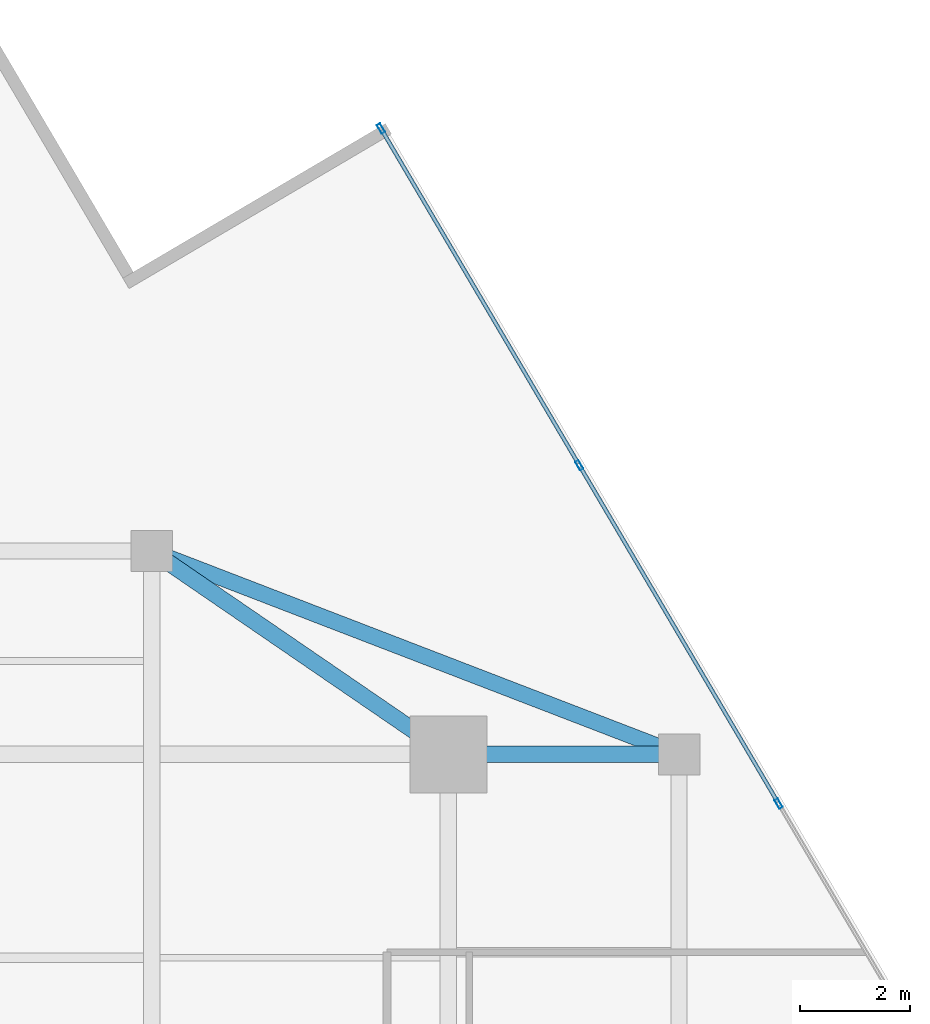
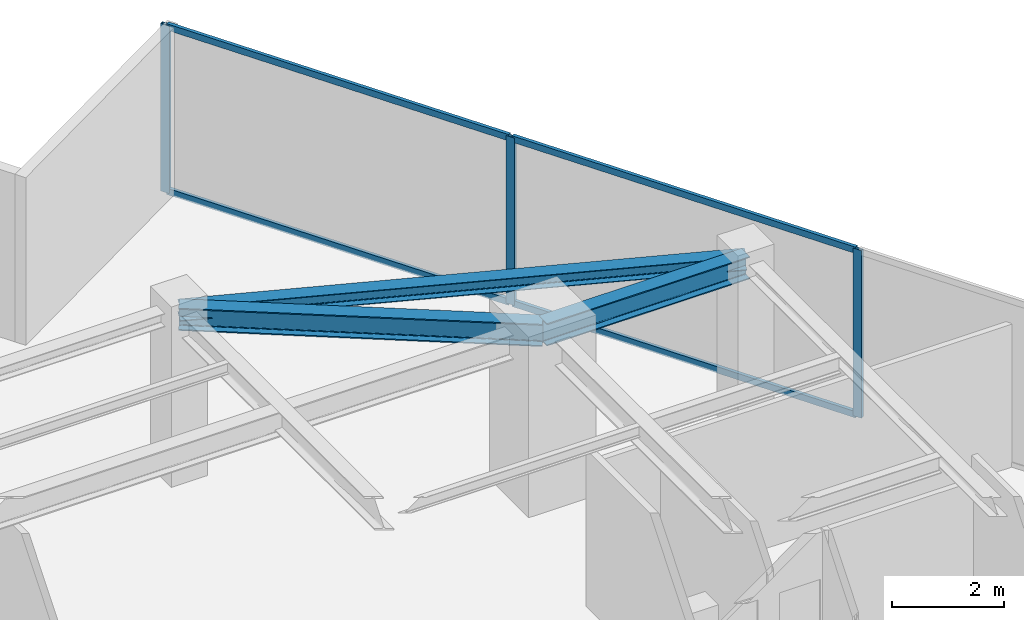
# One storey, part 15 of 20: 7 members, 3 beams, 1 element without a shape of its own.
"""IFC4 building model written with IfcOpenShell, lengths in metres."""

from ifc_helpers import new_model, si_unit, direction, frame, origin, origin_2d, place, context, subcontext, project, spatial, hollow_rectangle, i_section, extrude, source, transform, mapped, material, material_profile, profile_set, type_object, type_shapes, element, aggregate, save


model = new_model("IFC4")

# Units and contexts
model_context = context("Model", 3, precision=1e-05, world=origin(), true_north=direction((0.0, 1.0)))
body_context = subcontext(model_context, "Body", "Model", "MODEL_VIEW")
ifc_project = project(units=[si_unit("LENGTHUNIT", "METRE"), si_unit("AREAUNIT", "SQUARE_METRE"), si_unit("VOLUMEUNIT", "CUBIC_METRE"), si_unit("PLANEANGLEUNIT", "RADIAN"), si_unit("MASSUNIT", "GRAM", prefix="KILO")], contexts=[model_context])

# Site, building, storey
site_placement = place(None, origin())
site = spatial("IfcSite", under=ifc_project, at=site_placement, CompositionType="ELEMENT")
building_placement = place(site_placement, origin())
building = spatial("IfcBuilding", under=site, at=building_placement, Name="Krantzveldt Concourse Tower", CompositionType="ELEMENT")
storey_placement = place(building_placement, frame((0.0, 0.0, 295.050048828125)))
storey = spatial("IfcBuildingStorey", under=building, at=storey_placement, Name="L72", CompositionType="ELEMENT", Elevation=295.050048828125)

# Beams
ifc_material_1 = material(Name="Steel S355JR", Category="steel")
ifc_material_profile_1 = material_profile(ifc_material_1, i_section(OverallWidth=0.300048828125, OverallDepth=0.489990234375, WebThickness=0.011962890625, FlangeThickness=0.02294921875, FilletRadius=0.027099609375, at=origin_2d()), Name="Steel S355JR", Category="steel")
ifc_profile_set_1 = profile_set([ifc_material_profile_1], Name="Steel S355JR - HEA 500")
beam_type_1 = type_object("IfcBeamType", Name="BM-B-HEA500", PredefinedType="BEAM", material=ifc_profile_set_1)
shared_shape_1 = source(origin(), body_context, "Body", "SweptSolid", [
    extrude(i_section(OverallWidth=0.300048828125, OverallDepth=0.489990234375, WebThickness=0.011962890625, FlangeThickness=0.02294921875, FilletRadius=0.027099609375, at=origin_2d()), origin(), (0.0, 0.0, 1.0), 4.199951171875),
])
beam_1_placement = place(storey_placement, frame((46.800048828125, 37.5, 3.425048828125), z_axis=(1.0, 0.0, 0.0), x_axis=(0.0, 1.0, 0.0)))
element("IfcBeam", 1, at=beam_1_placement, inside=storey, type_object=beam_type_1, Name="L72 Tower Girder BR-RR3", PredefinedType="BEAM", context=body_context, shape_type="MappedRepresentation", body=[
    mapped(shared_shape_1, transform((0.0, 0.0, 0.0), x_axis=(1.0, 0.0, 0.0), y_axis=(0.0, 1.0, 0.0), z_axis=(0.0, 0.0, 1.0), scale=1.0)),
])
shared_shape_2 = source(origin(), body_context, "Body", "SweptSolid", [
    extrude(i_section(OverallWidth=0.300048828125, OverallDepth=0.489990234375, WebThickness=0.011962890625, FlangeThickness=0.02294921875, FilletRadius=0.027099609375, at=origin_2d()), origin(), (0.0, 0.0, 1.0), 6.546142578125),
])
type_shapes(beam_type_1, [shared_shape_1, shared_shape_2])
beam_2_placement = place(storey_placement, frame((46.800048828125, 37.5, 3.425048828125), z_axis=(-0.824942999484, 0.565215930068, 0.0), x_axis=(-0.565215930068, -0.824942999484, 0.0)))
element("IfcBeam", 2, at=beam_2_placement, inside=storey, type_object=beam_type_1, Name="L72 Tower Girder BR-RR4", PredefinedType="BEAM", context=body_context, shape_type="MappedRepresentation", body=[
    mapped(shared_shape_2, transform((0.0, 0.0, 0.0), x_axis=(1.0, 0.0, 0.0), y_axis=(0.0, 1.0, 0.0), z_axis=(0.0, 0.0, 1.0), scale=1.0)),
])
ifc_material_profile_2 = material_profile(ifc_material_1, i_section(OverallWidth=0.2900390625, OverallDepth=0.2900390625, WebThickness=0.008544921875, FlangeThickness=0.013916015625, FilletRadius=0.027099609375, at=origin_2d()), Name="Steel S355JR", Category="steel")
ifc_profile_set_2 = profile_set([ifc_material_profile_2], Name="Steel S355JR - HEA 300")
beam_type_2 = type_object("IfcBeamType", Name="BM-SP-HEA300", PredefinedType="SPANDREL", material=ifc_profile_set_2)
shared_shape_3 = source(origin(), body_context, "Body", "SweptSolid", [
    extrude(i_section(OverallWidth=0.2900390625, OverallDepth=0.2900390625, WebThickness=0.008544921875, FlangeThickness=0.013916015625, FilletRadius=0.027099609375, at=origin_2d()), origin(), (0.0, 0.0, 1.0), 10.288330078125),
])
type_shapes(beam_type_2, [shared_shape_3])
beam_3_placement = place(storey_placement, frame((41.39990234375, 41.199951171875, 3.52490234375), z_axis=(0.933097690408, -0.359622997257, 0.0), x_axis=(0.359622997257, 0.933097690408, 0.0)))
element("IfcBeam", 3, at=beam_3_placement, inside=storey, type_object=beam_type_2, Name="L72 Tower Girder SP-R05", PredefinedType="SPANDREL", context=body_context, shape_type="MappedRepresentation", body=[
    mapped(shared_shape_3, transform((0.0, 0.0, 0.0), x_axis=(1.0, 0.0, 0.0), y_axis=(0.0, 1.0, 0.0), z_axis=(0.0, 0.0, 1.0), scale=1.0)),
])

# Curtain wall, members
ifc_material_2 = material(Name="Anodised aluminium 6063-T6", Category="aluminium")
curtain_wall_type = type_object("IfcCurtainWallType", Name="CW4", PredefinedType="USERDEFINED", material=ifc_material_2)
curtain_wall_placement = place(storey_placement, origin())
curtain_wall = element("IfcCurtainWall", 4, at=curtain_wall_placement, inside=storey, type_object=curtain_wall_type, Name="CW-L72-F10", ObjectType="UNITISED CURTAIN WALL", PredefinedType="USERDEFINED")
ifc_material_profile_3 = material_profile(ifc_material_2, hollow_rectangle(XDim=0.070068359375, YDim=0.179931640625, WallThickness=0.0048828125, at=origin_2d()), Name="Anodised aluminium 6063-T6", Category="aluminium")
ifc_profile_set_3 = profile_set([ifc_material_profile_3], Name="Anodised aluminium 6063-T6 - ALU-MULL 180x70x5")
member_type_1 = type_object("IfcMemberType", Name="CW-MUL-180", PredefinedType="MULLION", material=ifc_profile_set_3)
shared_shape_4 = source(origin(), body_context, "Body", "SweptSolid", [
    extrude(hollow_rectangle(XDim=0.070068359375, YDim=0.179931640625, WallThickness=0.0048828125, at=origin_2d()), origin(), (0.0, 0.0, 1.0), 3.669921875),
])
type_shapes(member_type_1, [shared_shape_4])
member_1_placement = place(storey_placement, frame((52.810302734375, 36.60205078125, 0.0), z_axis=(0.0, 0.0, 1.0), x_axis=(-0.861629171479, -0.507538344223, 0.0)))
member_1 = element("IfcMember", 5, at=member_1_placement, type_object=member_type_1, Name="CW-Z56 mullion 3", PredefinedType="MULLION", context=body_context, shape_type="MappedRepresentation", body=[
    mapped(shared_shape_4, transform((0.0, 0.0, 0.0), x_axis=(1.0, 0.0, 0.0), y_axis=(0.0, 1.0, 0.0), z_axis=(0.0, 0.0, 1.0), scale=1.0)),
])
member_2_placement = place(storey_placement, frame((49.181396484375, 42.7626953125, 0.0), z_axis=(0.0, 0.0, 1.0), x_axis=(-0.861629171479, -0.507538344223, 0.0)))
member_2 = element("IfcMember", 6, at=member_2_placement, type_object=member_type_1, Name="CW-Z56 mullion 4", PredefinedType="MULLION", context=body_context, shape_type="MappedRepresentation", body=[
    mapped(shared_shape_4, transform((0.0, 0.0, 0.0), x_axis=(1.0, 0.0, 0.0), y_axis=(0.0, 1.0, 0.0), z_axis=(0.0, 0.0, 1.0), scale=1.0)),
])
member_3_placement = place(storey_placement, frame((45.5703125, 48.893310546875, 0.0), z_axis=(0.0, 0.0, 1.0), x_axis=(-0.861629171479, -0.507538344223, 0.0)))
member_3 = element("IfcMember", 7, at=member_3_placement, type_object=member_type_1, Name="CW-Z56 mullion 5", PredefinedType="MULLION", context=body_context, shape_type="MappedRepresentation", body=[
    mapped(shared_shape_4, transform((0.0, 0.0, 0.0), x_axis=(1.0, 0.0, 0.0), y_axis=(0.0, 1.0, 0.0), z_axis=(0.0, 0.0, 1.0), scale=1.0)),
])
ifc_material_profile_4 = material_profile(ifc_material_2, hollow_rectangle(XDim=0.070068359375, YDim=0.139892578125, WallThickness=0.0048828125, at=origin_2d()), Name="Anodised aluminium 6063-T6", Category="aluminium")
ifc_profile_set_4 = profile_set([ifc_material_profile_4], Name="Anodised aluminium 6063-T6 - ALU-TRAN 140x70x5")
member_type_2 = type_object("IfcMemberType", Name="CW-TRN-150", PredefinedType="USERDEFINED", material=ifc_profile_set_4)
shared_shape_5 = source(origin(), body_context, "Body", "SweptSolid", [
    extrude(hollow_rectangle(XDim=0.070068359375, YDim=0.139892578125, WallThickness=0.0048828125, at=origin_2d()), origin(), (0.0, 0.0, 1.0), 7.044921875),
])
member_4_placement = place(storey_placement, frame((49.163818359375, 42.79296875, 0.034912109375), z_axis=(-0.507553124405, 0.861620465116, 0.0), x_axis=(-0.861620465116, -0.507553124405, 0.0)))
member_4 = element("IfcMember", 8, at=member_4_placement, type_object=member_type_2, Name="CW-Z56 transom 4.1", ObjectType="TRANSOM", PredefinedType="USERDEFINED", context=body_context, shape_type="MappedRepresentation", body=[
    mapped(shared_shape_5, transform((0.0, 0.0, 0.0), x_axis=(1.0, 0.0, 0.0), y_axis=(0.0, 1.0, 0.0), z_axis=(0.0, 0.0, 1.0), scale=1.0)),
])
member_5_placement = place(storey_placement, frame((49.163818359375, 42.79296875, 3.635009765625), z_axis=(-0.507553124405, 0.861620465116, 0.0), x_axis=(-0.861620465116, -0.507553124405, 0.0)))
member_5 = element("IfcMember", 9, at=member_5_placement, type_object=member_type_2, Name="CW-Z56 transom 4.2", ObjectType="TRANSOM", PredefinedType="USERDEFINED", context=body_context, shape_type="MappedRepresentation", body=[
    mapped(shared_shape_5, transform((0.0, 0.0, 0.0), x_axis=(1.0, 0.0, 0.0), y_axis=(0.0, 1.0, 0.0), z_axis=(0.0, 0.0, 1.0), scale=1.0)),
])
shared_shape_6 = source(origin(), body_context, "Body", "SweptSolid", [
    extrude(hollow_rectangle(XDim=0.070068359375, YDim=0.139892578125, WallThickness=0.0048828125, at=origin_2d()), origin(), (0.0, 0.0, 1.0), 7.080078125),
])
type_shapes(member_type_2, [shared_shape_5, shared_shape_6])
member_6_placement = place(storey_placement, frame((52.792724609375, 36.63232421875, 0.034912109375), z_axis=(-0.507551986665, 0.861621135321, 0.0), x_axis=(-0.861621135321, -0.507551986665, 0.0)))
member_6 = element("IfcMember", 10, at=member_6_placement, type_object=member_type_2, Name="CW-Z56 transom 3.1", ObjectType="TRANSOM", PredefinedType="USERDEFINED", context=body_context, shape_type="MappedRepresentation", body=[
    mapped(shared_shape_6, transform((0.0, 0.0, 0.0), x_axis=(1.0, 0.0, 0.0), y_axis=(0.0, 1.0, 0.0), z_axis=(0.0, 0.0, 1.0), scale=1.0)),
])
member_7_placement = place(storey_placement, frame((52.792724609375, 36.63232421875, 3.635009765625), z_axis=(-0.507551986665, 0.861621135321, 0.0), x_axis=(-0.861621135321, -0.507551986665, 0.0)))
member_7 = element("IfcMember", 11, at=member_7_placement, type_object=member_type_2, Name="CW-Z56 transom 3.2", ObjectType="TRANSOM", PredefinedType="USERDEFINED", context=body_context, shape_type="MappedRepresentation", body=[
    mapped(shared_shape_6, transform((0.0, 0.0, 0.0), x_axis=(1.0, 0.0, 0.0), y_axis=(0.0, 1.0, 0.0), z_axis=(0.0, 0.0, 1.0), scale=1.0)),
])
aggregate(curtain_wall, [member_1, member_2, member_3, member_6, member_7, member_4, member_5])

save(model, "model.ifc")
